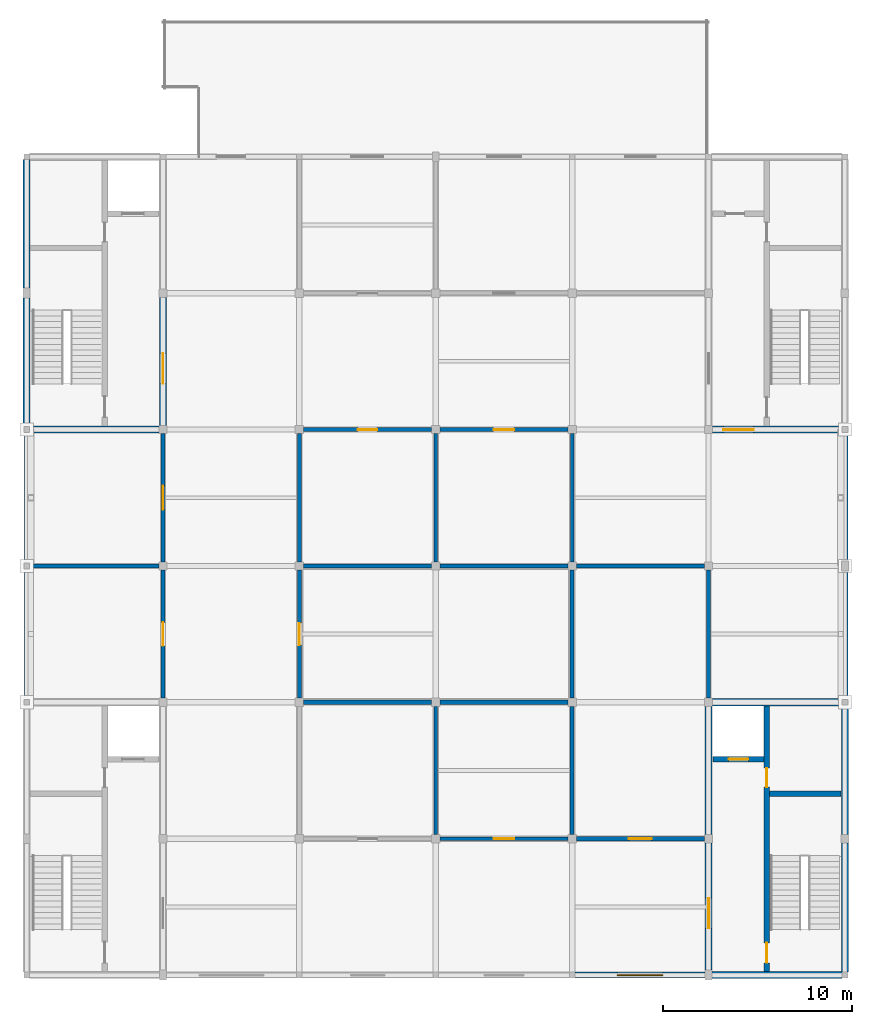
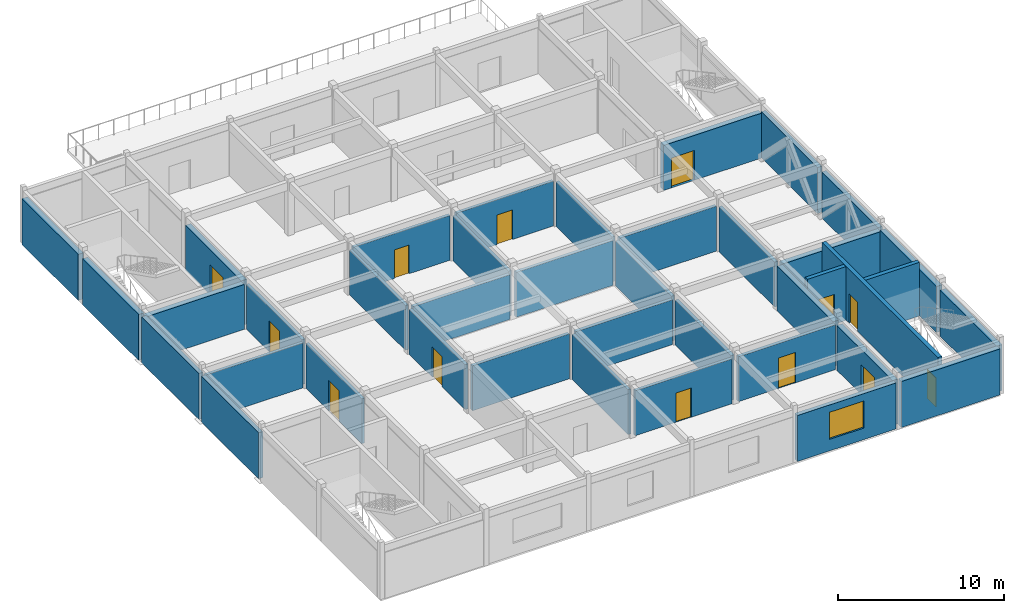
# One storey, part 3 of 6: 39 walls, 13 doors, 1 window, 14 openings.
"""IFC4 building model written with IfcOpenShell, lengths in metres."""

from ifc_helpers import new_model, si_unit, direction, frame, frame_2d, origin, place, context, subcontext, project, spatial, rectangle, extrude, material, layer, layer_set, type_object, element, fill, save


model = new_model("IFC4")

# Units and contexts
model_context = context("Model", 3, precision=1e-05, world=origin(), true_north=direction((0.0, 1.0)))
body_context = subcontext(model_context, "Body", "Model", "MODEL_VIEW")
ifc_project = project(units=[si_unit("LENGTHUNIT", "METRE"), si_unit("AREAUNIT", "SQUARE_METRE"), si_unit("VOLUMEUNIT", "CUBIC_METRE"), si_unit("PLANEANGLEUNIT", "RADIAN"), si_unit("MASSUNIT", "GRAM", prefix="KILO")], contexts=[model_context])

# Site, building, storey
site_placement = place(None, origin())
site = spatial("IfcSite", under=ifc_project, at=site_placement, CompositionType="ELEMENT")
building_placement = place(site_placement, origin())
building = spatial("IfcBuilding", under=site, at=building_placement, Name="Cendaluz Park School", CompositionType="ELEMENT")
storey_placement = place(building_placement, frame((0.0, 0.0, 63.0)))
storey = spatial("IfcBuildingStorey", under=building, at=storey_placement, Name="L15", CompositionType="ELEMENT", Elevation=63.0)

# Wall
ifc_material_1 = material(Name="Gypsum Plasterboard on Cold-Formed Stud", Category="gypsum")
ifc_layer_1 = layer(ifc_material_1, 0.199951171875)
ifc_layer_set_1 = layer_set([ifc_layer_1], Name="Gypsum Plasterboard on Cold-Formed Stud")
wall_type_1 = type_object("IfcWallType", Name="W-AC20", PredefinedType="PARTITIONING", material=ifc_layer_set_1)
wall_1_placement = place(storey_placement, frame((64.949951171875, 36.0, 0.0), z_axis=(0.0, 0.0, 1.0), x_axis=(1.0, 0.0, 0.0)))
element("IfcWall", 1, at=wall_1_placement, inside=storey, type_object=wall_type_1, Name="WL-FP-BJ8", PredefinedType="PARTITIONING", context=body_context, shape_type="SweptSolid", body=[
    extrude(rectangle(XDim=6.830078125, YDim=0.199951171875, at=frame_2d((3.4150390625, 0.0))), origin(), (0.0, 0.0, 1.0), 3.31005859375),
])

# Wall, opening, door
wall_2_placement = place(storey_placement, frame((72.0, 29.02001953125, 0.0), z_axis=(0.0, 0.0, 1.0), x_axis=(0.0, 1.0, 0.0)))
wall_2 = element("IfcWall", 2, at=wall_2_placement, inside=storey, type_object=wall_type_1, Name="WL-FP-BJ9", PredefinedType="PARTITIONING", context=body_context, shape_type="SweptSolid", body=[
    extrude(rectangle(XDim=6.760009765625, YDim=0.199951171875, at=frame_2d((3.3798828125, 0.0))), origin(), (0.0, 0.0, 1.0), 3.31005859375),
])
opening_1_placement = place(wall_2_placement, frame((2.760009765625, 0.0, 0.0)))
opening_1 = element("IfcOpeningElement", 3, at=opening_1_placement, cuts=wall_2, Name="Opening DCL-09", PredefinedType="OPENING", context=body_context, shape_type="SweptSolid", body=[
    extrude(rectangle(XDim=1.239990234375, YDim=2.260009765625, at=frame_2d((0.6201171875, 1.1298828125))), frame((0.0, 0.112060546875, 0.0), z_axis=(0.0, -1.0, 0.0), x_axis=(1.0, 0.0, 0.0)), (0.0, 0.0, 1.0), 0.223876953125),
])
ifc_material_2 = material(Name="Solid Core Hardwood", Category="wood")
door_type_1 = type_object("IfcDoorType", Name="DCL-09", OperationType="NOTDEFINED", PredefinedType="DOOR", material=ifc_material_2)
door_1_placement = place(opening_1_placement, origin())
door_1 = element("IfcDoor", 4, at=door_1_placement, inside=storey, type_object=door_type_1, Name="D-L15-024", OperationType="SINGLE_SWING_RIGHT", OverallHeight=2.260009765625, OverallWidth=1.239990234375, PredefinedType="DOOR", context=body_context, shape_type="SweptSolid", body=[
    extrude(rectangle(XDim=1.239990234375, YDim=2.260009765625, at=frame_2d((0.6201171875, 1.1298828125))), frame((0.0, 0.02490234375, 0.0), z_axis=(0.0, -1.0, 0.0), x_axis=(1.0, 0.0, 0.0)), (0.0, 0.0, 1.0), 0.050048828125),
])
fill(opening_1, door_1)

wall_3_placement = place(storey_placement, frame((72.0, 36.219970703125, 0.0), z_axis=(0.0, 0.0, 1.0), x_axis=(0.0, 1.0, 0.0)))
wall_3 = element("IfcWall", 5, at=wall_3_placement, inside=storey, type_object=wall_type_1, Name="WL-FP-BK0", PredefinedType="PARTITIONING", context=body_context, shape_type="SweptSolid", body=[
    extrude(rectangle(XDim=6.760009765625, YDim=0.199951171875, at=frame_2d((3.3798828125, 0.0))), origin(), (0.0, 0.0, 1.0), 3.31005859375),
])
opening_2_placement = place(wall_3_placement, frame((2.739990234375, 0.0, 0.0)))
opening_2 = element("IfcOpeningElement", 6, at=opening_2_placement, cuts=wall_3, Name="Opening DCL-10", PredefinedType="OPENING", context=body_context, shape_type="SweptSolid", body=[
    extrude(rectangle(XDim=1.280029296875, YDim=2.280029296875, at=frame_2d((0.64013671875, 1.14013671875))), frame((0.0, 0.112060546875, 0.0), z_axis=(0.0, -1.0, 0.0), x_axis=(1.0, 0.0, 0.0)), (0.0, 0.0, 1.0), 0.223876953125),
])
door_type_2 = type_object("IfcDoorType", Name="DCL-10", OperationType="NOTDEFINED", PredefinedType="DOOR", material=ifc_material_2)
door_2_placement = place(opening_2_placement, origin())
door_2 = element("IfcDoor", 7, at=door_2_placement, inside=storey, type_object=door_type_2, Name="D-L15-025", OperationType="SINGLE_SWING_LEFT", OverallHeight=2.280029296875, OverallWidth=1.280029296875, PredefinedType="DOOR", context=body_context, shape_type="SweptSolid", body=[
    extrude(rectangle(XDim=1.280029296875, YDim=2.280029296875, at=frame_2d((0.64013671875, 1.14013671875))), frame((0.0, 0.02490234375, 0.0), z_axis=(0.0, -1.0, 0.0), x_axis=(1.0, 0.0, 0.0)), (0.0, 0.0, 1.0), 0.050048828125),
])
fill(opening_2, door_2)

# Wall
wall_4_placement = place(storey_placement, frame((86.39990234375, 21.820068359375, 0.0), z_axis=(0.0, 0.0, 1.0), x_axis=(0.0, 1.0, 0.0)))
element("IfcWall", 8, at=wall_4_placement, inside=storey, type_object=wall_type_1, Name="WL-FP-BK3", PredefinedType="PARTITIONING", context=body_context, shape_type="SweptSolid", body=[
    extrude(rectangle(XDim=6.760009765625, YDim=0.199951171875, at=frame_2d((3.3798828125, 0.0))), origin(), (0.0, 0.0, 1.0), 3.31005859375),
])

# Wall, opening, door
wall_5_placement = place(storey_placement, frame((79.419921875, 43.199951171875, 0.0), z_axis=(0.0, 0.0, 1.0), x_axis=(1.0, 0.0, 0.0)))
wall_5 = element("IfcWall", 9, at=wall_5_placement, inside=storey, type_object=wall_type_1, Name="WL-FP-BK4", PredefinedType="PARTITIONING", context=body_context, shape_type="SweptSolid", body=[
    extrude(rectangle(XDim=6.760009765625, YDim=0.199951171875, at=frame_2d((3.3798828125, 0.0))), origin(), (0.0, 0.0, 1.0), 3.31005859375),
])
opening_3_placement = place(wall_5_placement, frame((2.8701171875, 0.0, 0.0)))
opening_3 = element("IfcOpeningElement", 10, at=opening_3_placement, cuts=wall_5, Name="Opening DCL-02", PredefinedType="OPENING", context=body_context, shape_type="SweptSolid", body=[
    extrude(rectangle(XDim=1.02001953125, YDim=2.1201171875, at=frame_2d((0.510009765625, 1.06005859375))), frame((0.0, 0.112060546875, 0.0), z_axis=(0.0, -1.0, 0.0), x_axis=(1.0, 0.0, 0.0)), (0.0, 0.0, 1.0), 0.223876953125),
])
door_type_3 = type_object("IfcDoorType", Name="DCL-02", OperationType="NOTDEFINED", PredefinedType="DOOR", material=ifc_material_2)
door_3_placement = place(opening_3_placement, frame((1.02001953125, 0.0, 0.0), z_axis=(0.0, 0.0, 1.0), x_axis=(-1.0, 0.0, 0.0)))
door_3 = element("IfcDoor", 11, at=door_3_placement, inside=storey, type_object=door_type_3, Name="D-L15-027", OperationType="SINGLE_SWING_LEFT", OverallHeight=2.1201171875, OverallWidth=1.02001953125, PredefinedType="DOOR", context=body_context, shape_type="SweptSolid", body=[
    extrude(rectangle(XDim=1.02001953125, YDim=2.1201171875, at=frame_2d((0.510009765625, 1.06005859375))), frame((0.0, 0.02490234375, 0.0), z_axis=(0.0, -1.0, 0.0), x_axis=(1.0, 0.0, 0.0)), (0.0, 0.0, 1.0), 0.050048828125),
])
fill(opening_3, door_3)

# Walls
for number, where, z_axis, x_axis, name in (
    (12, (79.199951171875, 36.219970703125, 0.0), (0.0, 0.0, 1.0), (0.0, 1.0, 0.0), "WL-FP-BK5"),
    (13, (86.39990234375, 36.219970703125, 0.0), (0.0, 0.0, 1.0), (0.0, 1.0, 0.0), "WL-FP-BK6"),
):
    element("IfcWall", number, at=place(storey_placement, frame(where, z_axis=z_axis, x_axis=x_axis)), inside=storey, type_object=wall_type_1, Name=name, PredefinedType="PARTITIONING", context=body_context, shape_type="SweptSolid", body=[
        extrude(rectangle(XDim=6.760009765625, YDim=0.199951171875, at=frame_2d((3.3798828125, 0.0))), origin(), (0.0, 0.0, 1.0), 3.31005859375),
    ])

# Wall, opening, door
wall_6_placement = place(storey_placement, frame((86.6201171875, 21.60009765625, 0.0), z_axis=(0.0, 0.0, 1.0), x_axis=(1.0, 0.0, 0.0)))
wall_6 = element("IfcWall", 14, at=wall_6_placement, inside=storey, type_object=wall_type_1, Name="WL-FP-BL0", PredefinedType="PARTITIONING", context=body_context, shape_type="SweptSolid", body=[
    extrude(rectangle(XDim=6.759765625, YDim=0.199951171875, at=frame_2d((3.3798828125, 0.0))), origin(), (0.0, 0.0, 1.0), 3.31005859375),
])
opening_4_placement = place(wall_6_placement, frame((2.85009765625, 0.0, 0.0)))
opening_4 = element("IfcOpeningElement", 15, at=opening_4_placement, cuts=wall_6, Name="Opening DCL-04", PredefinedType="OPENING", context=body_context, shape_type="SweptSolid", body=[
    extrude(rectangle(XDim=1.06005859375, YDim=2.159912109375, at=frame_2d((0.530029296875, 1.080078125))), frame((0.0, 0.112060546875, 0.0), z_axis=(0.0, -1.0, 0.0), x_axis=(1.0, 0.0, 0.0)), (0.0, 0.0, 1.0), 0.223876953125),
])
door_type_4 = type_object("IfcDoorType", Name="DCL-04", OperationType="NOTDEFINED", PredefinedType="DOOR", material=ifc_material_2)
door_4_placement = place(opening_4_placement, origin())
door_4 = element("IfcDoor", 16, at=door_4_placement, inside=storey, type_object=door_type_4, Name="D-L15-029", OperationType="SINGLE_SWING_LEFT", OverallHeight=2.159912109375, OverallWidth=1.06005859375, PredefinedType="DOOR", context=body_context, shape_type="SweptSolid", body=[
    extrude(rectangle(XDim=1.06005859375, YDim=2.159912109375, at=frame_2d((0.530029296875, 1.080078125))), frame((0.0, 0.02490234375, 0.0), z_axis=(0.0, -1.0, 0.0), x_axis=(1.0, 0.0, 0.0)), (0.0, 0.0, 1.0), 0.050048828125),
])
fill(opening_4, door_4)

wall_7_placement = place(storey_placement, frame((86.6201171875, 43.199951171875, 0.0), z_axis=(0.0, 0.0, 1.0), x_axis=(1.0, 0.0, 0.0)))
wall_7 = element("IfcWall", 17, at=wall_7_placement, inside=storey, type_object=wall_type_1, Name="WL-FP-BL1", PredefinedType="PARTITIONING", context=body_context, shape_type="SweptSolid", body=[
    extrude(rectangle(XDim=6.759765625, YDim=0.199951171875, at=frame_2d((3.3798828125, 0.0))), origin(), (0.0, 0.0, 1.0), 3.31005859375),
])
opening_5_placement = place(wall_7_placement, frame((2.840087890625, 0.0, 0.0)))
opening_5 = element("IfcOpeningElement", 18, at=opening_5_placement, cuts=wall_7, Name="Opening DCL-05", PredefinedType="OPENING", context=body_context, shape_type="SweptSolid", body=[
    extrude(rectangle(XDim=1.080078125, YDim=2.179931640625, at=frame_2d((0.5400390625, 1.08984375))), frame((0.0, 0.112060546875, 0.0), z_axis=(0.0, -1.0, 0.0), x_axis=(1.0, 0.0, 0.0)), (0.0, 0.0, 1.0), 0.223876953125),
])
door_type_5 = type_object("IfcDoorType", Name="DCL-05", OperationType="NOTDEFINED", PredefinedType="DOOR", material=ifc_material_2)
door_5_placement = place(opening_5_placement, frame((1.080078125, 0.0, 0.0), z_axis=(0.0, 0.0, 1.0), x_axis=(-1.0, 0.0, 0.0)))
door_5 = element("IfcDoor", 19, at=door_5_placement, inside=storey, type_object=door_type_5, Name="D-L15-030", OperationType="SINGLE_SWING_RIGHT", OverallHeight=2.179931640625, OverallWidth=1.080078125, PredefinedType="DOOR", context=body_context, shape_type="SweptSolid", body=[
    extrude(rectangle(XDim=1.080078125, YDim=2.179931640625, at=frame_2d((0.5400390625, 1.08984375))), frame((0.0, 0.02490234375, 0.0), z_axis=(0.0, -1.0, 0.0), x_axis=(1.0, 0.0, 0.0)), (0.0, 0.0, 1.0), 0.050048828125),
])
fill(opening_5, door_5)

# Walls
wall_8_placement = place(storey_placement, frame((93.60009765625, 36.219970703125, 0.0), z_axis=(0.0, 0.0, 1.0), x_axis=(0.0, 1.0, 0.0)))
element("IfcWall", 20, at=wall_8_placement, inside=storey, type_object=wall_type_1, Name="WL-FP-BL2", PredefinedType="PARTITIONING", context=body_context, shape_type="SweptSolid", body=[
    extrude(rectangle(XDim=6.760009765625, YDim=0.199951171875, at=frame_2d((3.3798828125, 0.0))), origin(), (0.0, 0.0, 1.0), 3.31005859375),
])
ifc_material_3 = material(Name="Cross-laminated timber CLT C24", Category="wood")
ifc_layer_2 = layer(ifc_material_3, 0.300048828125)
ifc_layer_set_2 = layer_set([ifc_layer_2], Name="Cross-laminated timber CLT C24")
wall_type_2 = type_object("IfcWallType", Name="W-EX30", PredefinedType="SOLIDWALL", material=ifc_layer_set_2)
for number, where, z_axis, x_axis, name in (
    (21, (64.800048828125, 28.949951171875, 0.0), (0.0, 0.0, 1.0), (0.0, 1.0, 0.0), "WL-FP-AA0"),
    (22, (64.800048828125, 36.14990234375, 0.0), (0.0, 0.0, 1.0), (0.0, 1.0, 0.0), "WL-FP-AA1"),
):
    element("IfcWall", number, at=place(storey_placement, frame(where, z_axis=z_axis, x_axis=x_axis)), inside=storey, type_object=wall_type_2, Name=name, PredefinedType="SOLIDWALL", context=body_context, shape_type="SweptSolid", body=[
        extrude(rectangle(XDim=6.900146484375, YDim=0.300048828125, at=frame_2d((3.4501953125, 0.0))), origin(), (0.0, 0.0, 1.0), 3.389892578125),
    ])

# Wall, opening, window
wall_9_placement = place(storey_placement, frame((93.75, 14.39990234375, 0.0), z_axis=(0.0, 0.0, 1.0), x_axis=(1.0, 0.0, 0.0)))
wall_9 = element("IfcWall", 23, at=wall_9_placement, inside=storey, type_object=wall_type_2, Name="WL-FP-AA8", PredefinedType="SOLIDWALL", context=body_context, shape_type="SweptSolid", body=[
    extrude(rectangle(XDim=6.8701171875, YDim=0.300048828125, at=frame_2d((3.43505859375, 0.0))), origin(), (0.0, 0.0, 1.0), 3.389892578125),
])
opening_6_placement = place(wall_9_placement, frame((2.235107421875, 0.0, 0.85009765625)))
opening_6 = element("IfcOpeningElement", 24, at=opening_6_placement, cuts=wall_9, Name="Opening WN-12", PredefinedType="OPENING", context=body_context, shape_type="SweptSolid", body=[
    extrude(rectangle(XDim=2.39990234375, YDim=2.0, at=frame_2d((1.199951171875, 1.0))), frame((0.0, 0.162109375, 0.0), z_axis=(0.0, -1.0, 0.0), x_axis=(1.0, 0.0, 0.0)), (0.0, 0.0, 1.0), 0.323974609375),
])
ifc_material_4 = material(Name="Tempered Low-E Double Glazing", Category="glass")
window_type = type_object("IfcWindowType", Name="WN-12", PartitioningType="SINGLE_PANEL", PredefinedType="WINDOW", material=ifc_material_4)
window_placement = place(opening_6_placement, origin())
window = element("IfcWindow", 25, at=window_placement, inside=storey, type_object=window_type, Name="WN-L15-004", OverallHeight=2.0, OverallWidth=2.39990234375, PartitioningType="SINGLE_PANEL", PredefinedType="WINDOW", context=body_context, shape_type="SweptSolid", body=[
    extrude(rectangle(XDim=2.39990234375, YDim=2.0, at=frame_2d((1.199951171875, 1.0))), frame((0.0, 0.030029296875, 0.0), z_axis=(0.0, -1.0, 0.0), x_axis=(1.0, 0.0, 0.0)), (0.0, 0.0, 1.0), 0.06005859375),
])
fill(opening_6, window)

# Walls
for number, where, z_axis, x_axis, name in (
    (26, (108.0, 28.949951171875, 0.0), (0.0, 0.0, 1.0), (0.0, 1.0, 0.0), "WL-FP-AB0"),
    (27, (108.0, 36.260009765625, 0.0), (0.0, 0.0, 1.0), (0.0, 1.0, 0.0), "WL-FP-AB1"),
):
    element("IfcWall", number, at=place(storey_placement, frame(where, z_axis=z_axis, x_axis=x_axis)), inside=storey, type_object=wall_type_2, Name=name, PredefinedType="SOLIDWALL", context=body_context, shape_type="SweptSolid", body=[
        extrude(rectangle(XDim=6.7900390625, YDim=0.300048828125, at=frame_2d((3.39501953125, 0.0))), origin(), (0.0, 0.0, 1.0), 3.389892578125),
    ])

# Wall, openings, doors
ifc_material_5 = material(Name="Concrete C40/50", Category="concrete")
ifc_layer_3 = layer(ifc_material_5, 0.280029296875)
ifc_layer_set_3 = layer_set([ifc_layer_3], Name="Concrete C40/50")
wall_type_3 = type_object("IfcWallType", Name="W-FW28", PredefinedType="SHEAR", material=ifc_layer_set_3)
wall_10_placement = place(storey_placement, frame((103.8798828125, 14.60009765625, 0.0), z_axis=(0.0, 0.0, 1.0), x_axis=(0.0, 1.0, 0.0)))
wall_10 = element("IfcWall", 28, at=wall_10_placement, inside=storey, type_object=wall_type_3, Name="WL-FP-BG7", PredefinedType="SHEAR", context=body_context, shape_type="SweptSolid", body=[
    extrude(rectangle(XDim=14.0, YDim=0.280029296875, at=frame_2d((7.0, 0.0))), origin(), (0.0, 0.0, 1.0), 3.9599609375),
])
opening_7_placement = place(wall_10_placement, frame((0.449951171875, 0.0, 0.0)))
opening_7 = element("IfcOpeningElement", 29, at=opening_7_placement, cuts=wall_10, Name="Opening DST-02", PredefinedType="OPENING", context=body_context, shape_type="SweptSolid", body=[
    extrude(rectangle(XDim=1.050048828125, YDim=2.14990234375, at=frame_2d((0.52490234375, 1.074951171875))), frame((0.0, 0.152099609375, 0.0), z_axis=(0.0, -1.0, 0.0), x_axis=(1.0, 0.0, 0.0)), (0.0, 0.0, 1.0), 0.303955078125),
])
opening_8_placement = place(wall_10_placement, frame((9.719970703125, 0.0, 0.0)))
opening_8 = element("IfcOpeningElement", 30, at=opening_8_placement, cuts=wall_10, Name="Opening DFC-01", PredefinedType="OPENING", context=body_context, shape_type="SweptSolid", body=[
    extrude(rectangle(XDim=1.0, YDim=2.14990234375, at=frame_2d((0.5, 1.074951171875))), frame((0.0, 0.152099609375, 0.0), z_axis=(0.0, -1.0, 0.0), x_axis=(1.0, 0.0, 0.0)), (0.0, 0.0, 1.0), 0.303955078125),
])
door_type_6 = type_object("IfcDoorType", Name="DFC-01", OperationType="NOTDEFINED", PredefinedType="DOOR", material=ifc_material_2)
door_6_placement = place(opening_8_placement, frame((1.0, 0.0, 0.0), z_axis=(0.0, 0.0, 1.0), x_axis=(-1.0, 0.0, 0.0)))
door_6 = element("IfcDoor", 31, at=door_6_placement, inside=storey, type_object=door_type_6, Name="D-L15-011", OperationType="SINGLE_SWING_LEFT", OverallHeight=2.14990234375, OverallWidth=1.0, PredefinedType="DOOR", context=body_context, shape_type="SweptSolid", body=[
    extrude(rectangle(XDim=1.0, YDim=2.14990234375, at=frame_2d((0.5, 1.074951171875))), frame((0.0, 0.02490234375, 0.0), z_axis=(0.0, -1.0, 0.0), x_axis=(1.0, 0.0, 0.0)), (0.0, 0.0, 1.0), 0.050048828125),
])
fill(opening_8, door_6)
door_type_7 = type_object("IfcDoorType", Name="DST-02", OperationType="NOTDEFINED", PredefinedType="DOOR", material=ifc_material_2)
door_7_placement = place(opening_7_placement, frame((1.050048828125, 0.0, 0.0), z_axis=(0.0, 0.0, 1.0), x_axis=(-1.0, 0.0, 0.0)))
door_7 = element("IfcDoor", 32, at=door_7_placement, inside=storey, type_object=door_type_7, Name="D-L15-010", OperationType="SINGLE_SWING_RIGHT", OverallHeight=2.14990234375, OverallWidth=1.050048828125, PredefinedType="DOOR", context=body_context, shape_type="SweptSolid", body=[
    extrude(rectangle(XDim=1.050048828125, YDim=2.14990234375, at=frame_2d((0.52490234375, 1.074951171875))), frame((0.0, 0.02490234375, 0.0), z_axis=(0.0, -1.0, 0.0), x_axis=(1.0, 0.0, 0.0)), (0.0, 0.0, 1.0), 0.050048828125),
])
fill(opening_7, door_7)

# Wall
wall_11_placement = place(storey_placement, frame((104.02001953125, 23.97998046875, 0.0), z_axis=(0.0, 0.0, 1.0), x_axis=(1.0, 0.0, 0.0)))
element("IfcWall", 33, at=wall_11_placement, inside=storey, type_object=wall_type_3, Name="WL-FP-BG8", PredefinedType="SHEAR", context=body_context, shape_type="SweptSolid", body=[
    extrude(rectangle(XDim=3.780029296875, YDim=0.280029296875, at=frame_2d((1.89013671875, 0.0))), origin(), (0.0, 0.0, 1.0), 3.9599609375),
])

# Wall, opening, door
wall_12_placement = place(storey_placement, frame((101.0400390625, 25.800048828125, 0.0), z_axis=(0.0, 0.0, 1.0), x_axis=(1.0, 0.0, 0.0)))
wall_12 = element("IfcWall", 34, at=wall_12_placement, inside=storey, type_object=wall_type_3, Name="WL-FP-BG9", PredefinedType="SHEAR", context=body_context, shape_type="SweptSolid", body=[
    extrude(rectangle(XDim=2.679931640625, YDim=0.280029296875, at=frame_2d((1.33984375, 0.0))), origin(), (0.0, 0.0, 1.0), 3.9599609375),
])
opening_9_placement = place(wall_12_placement, frame((0.81494140625, 0.0, 0.0)))
opening_9 = element("IfcOpeningElement", 35, at=opening_9_placement, cuts=wall_12, Name="Opening LD-02", PredefinedType="OPENING", context=body_context, shape_type="SweptSolid", body=[
    extrude(rectangle(XDim=1.050048828125, YDim=2.199951171875, at=frame_2d((0.52490234375, 1.10009765625))), frame((0.0, 0.152099609375, 0.0), z_axis=(0.0, -1.0, 0.0), x_axis=(1.0, 0.0, 0.0)), (0.0, 0.0, 1.0), 0.303955078125),
])
ifc_material_6 = material(Name="Stainless Steel 316L", Category="steel")
door_type_8 = type_object("IfcDoorType", Name="LD-02", OperationType="DOUBLE_DOOR_SLIDING", PredefinedType="DOOR", material=ifc_material_6)
door_8_placement = place(opening_9_placement, frame((1.050048828125, 0.0, 0.0), z_axis=(0.0, 0.0, 1.0), x_axis=(-1.0, 0.0, 0.0)))
door_8 = element("IfcDoor", 36, at=door_8_placement, inside=storey, type_object=door_type_8, Name="D-L15-012", OperationType="DOUBLE_DOOR_SLIDING", OverallHeight=2.199951171875, OverallWidth=1.050048828125, PredefinedType="DOOR", context=body_context, shape_type="SweptSolid", body=[
    extrude(rectangle(XDim=1.050048828125, YDim=2.199951171875, at=frame_2d((0.52490234375, 1.10009765625))), frame((0.0, 0.02490234375, 0.0), z_axis=(0.0, -1.0, 0.0), x_axis=(1.0, 0.0, 0.0)), (0.0, 0.0, 1.0), 0.050048828125),
])
fill(opening_9, door_8)

# Walls
ifc_layer_4 = layer(ifc_material_1, 0.219970703125)
ifc_layer_set_4 = layer_set([ifc_layer_4], Name="Gypsum Plasterboard on Cold-Formed Stud")
wall_type_4 = type_object("IfcWallType", Name="W-LB22", PredefinedType="PARTITIONING", material=ifc_layer_set_4)
for number, where, z_axis, x_axis, name in (
    (37, (79.419921875, 28.800048828125, 0.0), (0.0, 0.0, 1.0), (1.0, 0.0, 0.0), "WL-FP-BI8"),
    (38, (79.419921875, 36.0, 0.0), (0.0, 0.0, 1.0), (1.0, 0.0, 0.0), "WL-FP-BI9"),
):
    element("IfcWall", number, at=place(storey_placement, frame(where, z_axis=z_axis, x_axis=x_axis)), inside=storey, type_object=wall_type_4, Name=name, PredefinedType="PARTITIONING", context=body_context, shape_type="SweptSolid", body=[
        extrude(rectangle(XDim=6.760009765625, YDim=0.219970703125, at=frame_2d((3.3798828125, 0.0))), origin(), (0.0, 0.0, 1.0), 3.31005859375),
    ])

# Wall, opening, door
wall_13_placement = place(storey_placement, frame((79.199951171875, 29.02001953125, 0.0), z_axis=(0.0, 0.0, 1.0), x_axis=(0.0, 1.0, 0.0)))
wall_13 = element("IfcWall", 39, at=wall_13_placement, inside=storey, type_object=wall_type_4, Name="WL-FP-BJ0", PredefinedType="PARTITIONING", context=body_context, shape_type="SweptSolid", body=[
    extrude(rectangle(XDim=6.760009765625, YDim=0.219970703125, at=frame_2d((3.3798828125, 0.0))), origin(), (0.0, 0.0, 1.0), 3.31005859375),
])
opening_10_placement = place(wall_13_placement, frame((2.800048828125, 0.0, 0.0)))
opening_10 = element("IfcOpeningElement", 40, at=opening_10_placement, cuts=wall_13, Name="Opening DCL-07", PredefinedType="OPENING", context=body_context, shape_type="SweptSolid", body=[
    extrude(rectangle(XDim=1.159912109375, YDim=2.219970703125, at=frame_2d((0.580078125, 1.10986328125))), frame((0.0, 0.1220703125, 0.0), z_axis=(0.0, -1.0, 0.0), x_axis=(1.0, 0.0, 0.0)), (0.0, 0.0, 1.0), 0.243896484375),
])
door_type_9 = type_object("IfcDoorType", Name="DCL-07", OperationType="NOTDEFINED", PredefinedType="DOOR", material=ifc_material_2)
door_9_placement = place(opening_10_placement, origin())
door_9 = element("IfcDoor", 41, at=door_9_placement, inside=storey, type_object=door_type_9, Name="D-L15-022", OperationType="SINGLE_SWING_RIGHT", OverallHeight=2.219970703125, OverallWidth=1.159912109375, PredefinedType="DOOR", context=body_context, shape_type="SweptSolid", body=[
    extrude(rectangle(XDim=1.159912109375, YDim=2.219970703125, at=frame_2d((0.580078125, 1.10986328125))), frame((0.0, 0.02490234375, 0.0), z_axis=(0.0, -1.0, 0.0), x_axis=(1.0, 0.0, 0.0)), (0.0, 0.0, 1.0), 0.050048828125),
])
fill(opening_10, door_9)

# Walls
for number, where, z_axis, x_axis, name in (
    (42, (86.6201171875, 28.800048828125, 0.0), (0.0, 0.0, 1.0), (1.0, 0.0, 0.0), "WL-FP-BJ1"),
    (43, (86.6201171875, 36.0, 0.0), (0.0, 0.0, 1.0), (1.0, 0.0, 0.0), "WL-FP-BJ2"),
):
    element("IfcWall", number, at=place(storey_placement, frame(where, z_axis=z_axis, x_axis=x_axis)), inside=storey, type_object=wall_type_4, Name=name, PredefinedType="PARTITIONING", context=body_context, shape_type="SweptSolid", body=[
        extrude(rectangle(XDim=6.759765625, YDim=0.219970703125, at=frame_2d((3.3798828125, 0.0))), origin(), (0.0, 0.0, 1.0), 3.31005859375),
    ])
wall_14_placement = place(storey_placement, frame((93.60009765625, 29.02001953125, 0.0), z_axis=(0.0, 0.0, 1.0), x_axis=(0.0, 1.0, 0.0)))
element("IfcWall", 44, at=wall_14_placement, inside=storey, type_object=wall_type_4, Name="WL-FP-BJ3", PredefinedType="PARTITIONING", context=body_context, shape_type="SweptSolid", body=[
    extrude(rectangle(XDim=6.760009765625, YDim=0.219970703125, at=frame_2d((3.3798828125, 0.0))), origin(), (0.0, 0.0, 1.0), 3.31005859375),
])

# Wall, opening, door
wall_15_placement = place(storey_placement, frame((93.820068359375, 21.60009765625, 0.0), z_axis=(0.0, 0.0, 1.0), x_axis=(1.0, 0.0, 0.0)))
wall_15 = element("IfcWall", 45, at=wall_15_placement, inside=storey, type_object=wall_type_4, Name="WL-FP-BJ4", PredefinedType="PARTITIONING", context=body_context, shape_type="SweptSolid", body=[
    extrude(rectangle(XDim=6.760009765625, YDim=0.219970703125, at=frame_2d((3.3798828125, 0.0))), origin(), (0.0, 0.0, 1.0), 3.31005859375),
])
opening_11_placement = place(wall_15_placement, frame((2.780029296875, 0.0, 0.0)))
opening_11 = element("IfcOpeningElement", 46, at=opening_11_placement, cuts=wall_15, Name="Opening DCL-08", PredefinedType="OPENING", context=body_context, shape_type="SweptSolid", body=[
    extrude(rectangle(XDim=1.199951171875, YDim=2.239990234375, at=frame_2d((0.60009765625, 1.1201171875))), frame((0.0, 0.1220703125, 0.0), z_axis=(0.0, -1.0, 0.0), x_axis=(1.0, 0.0, 0.0)), (0.0, 0.0, 1.0), 0.243896484375),
])
door_type_10 = type_object("IfcDoorType", Name="DCL-08", OperationType="NOTDEFINED", PredefinedType="DOOR", material=ifc_material_2)
door_10_placement = place(opening_11_placement, frame((1.199951171875, 0.0, 0.0), z_axis=(0.0, 0.0, 1.0), x_axis=(-1.0, 0.0, 0.0)))
door_10 = element("IfcDoor", 47, at=door_10_placement, inside=storey, type_object=door_type_10, Name="D-L15-023", OperationType="SINGLE_SWING_LEFT", OverallHeight=2.239990234375, OverallWidth=1.199951171875, PredefinedType="DOOR", context=body_context, shape_type="SweptSolid", body=[
    extrude(rectangle(XDim=1.199951171875, YDim=2.239990234375, at=frame_2d((0.60009765625, 1.1201171875))), frame((0.0, 0.02490234375, 0.0), z_axis=(0.0, -1.0, 0.0), x_axis=(1.0, 0.0, 0.0)), (0.0, 0.0, 1.0), 0.050048828125),
])
fill(opening_11, door_10)

# Walls
for number, where, z_axis, x_axis, name in (
    (48, (93.60009765625, 21.820068359375, 0.0), (0.0, 0.0, 1.0), (0.0, 1.0, 0.0), "WL-FP-BJ5"),
    (49, (93.820068359375, 36.0, 0.0), (0.0, 0.0, 1.0), (1.0, 0.0, 0.0), "WL-FP-BJ6"),
    (50, (100.800048828125, 29.02001953125, 0.0), (0.0, 0.0, 1.0), (0.0, 1.0, 0.0), "WL-FP-BJ7"),
):
    element("IfcWall", number, at=place(storey_placement, frame(where, z_axis=z_axis, x_axis=x_axis)), inside=storey, type_object=wall_type_4, Name=name, PredefinedType="PARTITIONING", context=body_context, shape_type="SweptSolid", body=[
        extrude(rectangle(XDim=6.760009765625, YDim=0.219970703125, at=frame_2d((3.3798828125, 0.0))), origin(), (0.0, 0.0, 1.0), 3.31005859375),
    ])

# Wall, opening, door
ifc_layer_5 = layer(ifc_material_5, 0.3798828125)
ifc_layer_set_5 = layer_set([ifc_layer_5], Name="Concrete C40/50")
wall_type_5 = type_object("IfcWallType", Name="W-SH38", PredefinedType="SHEAR", material=ifc_layer_set_5)
wall_16_placement = place(storey_placement, frame((100.800048828125, 14.659912109375, 0.0), z_axis=(0.0, 0.0, 1.0), x_axis=(0.0, 1.0, 0.0)))
wall_16 = element("IfcWall", 51, at=wall_16_placement, inside=storey, type_object=wall_type_5, Name="WL-FP-BG1", PredefinedType="SHEAR", context=body_context, shape_type="SweptSolid", body=[
    extrude(rectangle(XDim=6.719970703125, YDim=0.3798828125, at=frame_2d((3.35986328125, 0.0))), origin(), (0.0, 0.0, 1.0), 3.31005859375),
])
opening_12_placement = place(wall_16_placement, frame((2.199951171875, 0.0, 0.0)))
opening_12 = element("IfcOpeningElement", 52, at=opening_12_placement, cuts=wall_16, Name="Opening DLB-01", PredefinedType="OPENING", context=body_context, shape_type="SweptSolid", body=[
    extrude(rectangle(XDim=1.60009765625, YDim=2.199951171875, at=frame_2d((0.800048828125, 1.10009765625))), frame((0.0, 0.201904296875, 0.0), z_axis=(0.0, -1.0, 0.0), x_axis=(1.0, 0.0, 0.0)), (0.0, 0.0, 1.0), 0.40380859375),
])
door_type_11 = type_object("IfcDoorType", Name="DLB-01", OperationType="DOUBLE_DOOR_SINGLE_SWING", PredefinedType="DOOR", material=ifc_material_2)
door_11_placement = place(opening_12_placement, frame((1.60009765625, 0.0, 0.0), z_axis=(0.0, 0.0, 1.0), x_axis=(-1.0, 0.0, 0.0)))
door_11 = element("IfcDoor", 53, at=door_11_placement, inside=storey, type_object=door_type_11, Name="D-L15-009", OperationType="DOUBLE_DOOR_SINGLE_SWING", OverallHeight=2.199951171875, OverallWidth=1.60009765625, PredefinedType="DOOR", context=body_context, shape_type="SweptSolid", body=[
    extrude(rectangle(XDim=1.60009765625, YDim=2.199951171875, at=frame_2d((0.800048828125, 1.10009765625))), frame((0.0, 0.02490234375, 0.0), z_axis=(0.0, -1.0, 0.0), x_axis=(1.0, 0.0, 0.0)), (0.0, 0.0, 1.0), 0.050048828125),
])
fill(opening_12, door_11)

# Walls
wall_17_placement = place(storey_placement, frame((100.800048828125, 21.820068359375, 0.0), z_axis=(0.0, 0.0, 1.0), x_axis=(0.0, 1.0, 0.0)))
element("IfcWall", 54, at=wall_17_placement, inside=storey, type_object=wall_type_5, Name="WL-FP-BG2", PredefinedType="SHEAR", context=body_context, shape_type="SweptSolid", body=[
    extrude(rectangle(XDim=6.760009765625, YDim=0.3798828125, at=frame_2d((3.3798828125, 0.0))), origin(), (0.0, 0.0, 1.0), 3.31005859375),
])
for number, where, z_axis, x_axis, name in (
    (55, (108.0, 14.550048828125, 0.0), (0.0, 0.0, 1.0), (0.0, 1.0, 0.0), "WL-FP-BG3"),
    (56, (108.0, 21.820068359375, 0.0), (0.0, 0.0, 1.0), (0.0, 1.0, 0.0), "WL-FP-BG4"),
):
    element("IfcWall", number, at=place(storey_placement, frame(where, z_axis=z_axis, x_axis=x_axis)), inside=storey, type_object=wall_type_5, Name=name, PredefinedType="SHEAR", context=body_context, shape_type="SweptSolid", body=[
        extrude(rectangle(XDim=6.829833984375, YDim=0.3798828125, at=frame_2d((3.4150390625, 0.0))), origin(), (0.0, 0.0, 1.0), 3.389892578125),
    ])
wall_18_placement = place(storey_placement, frame((100.97998046875, 14.39990234375, 0.0), z_axis=(0.0, 0.0, 1.0), x_axis=(1.0, 0.0, 0.0)))
element("IfcWall", 57, at=wall_18_placement, inside=storey, type_object=wall_type_5, Name="WL-FP-BG5", PredefinedType="SHEAR", context=body_context, shape_type="SweptSolid", body=[
    extrude(rectangle(XDim=6.8701171875, YDim=0.3798828125, at=frame_2d((3.43505859375, 0.0))), origin(), (0.0, 0.0, 1.0), 3.389892578125),
])
wall_19_placement = place(storey_placement, frame((101.02001953125, 28.800048828125, 0.0), z_axis=(0.0, 0.0, 1.0), x_axis=(1.0, 0.0, 0.0)))
element("IfcWall", 58, at=wall_19_placement, inside=storey, type_object=wall_type_5, Name="WL-FP-BG6", PredefinedType="SHEAR", context=body_context, shape_type="SweptSolid", body=[
    extrude(rectangle(XDim=6.830078125, YDim=0.3798828125, at=frame_2d((3.4150390625, 0.0))), origin(), (0.0, 0.0, 1.0), 3.31005859375),
])
wall_20_placement = place(storey_placement, frame((64.800048828125, 43.35009765625, 0.0), z_axis=(0.0, 0.0, 1.0), x_axis=(0.0, 1.0, 0.0)))
element("IfcWall", 59, at=wall_20_placement, inside=storey, type_object=wall_type_5, Name="WL-FP-BH0", PredefinedType="SHEAR", context=body_context, shape_type="SweptSolid", body=[
    extrude(rectangle(XDim=6.789794921875, YDim=0.3798828125, at=frame_2d((3.39501953125, 0.0))), origin(), (0.0, 0.0, 1.0), 3.389892578125),
])
wall_21_placement = place(storey_placement, frame((64.800048828125, 50.659912109375, 0.0), z_axis=(0.0, 0.0, 1.0), x_axis=(0.0, 1.0, 0.0)))
element("IfcWall", 60, at=wall_21_placement, inside=storey, type_object=wall_type_5, Name="WL-FP-BH1", PredefinedType="SHEAR", context=body_context, shape_type="SweptSolid", body=[
    extrude(rectangle(XDim=6.7900390625, YDim=0.3798828125, at=frame_2d((3.39501953125, 0.0))), origin(), (0.0, 0.0, 1.0), 3.389892578125),
])

# Wall, opening, door
wall_22_placement = place(storey_placement, frame((72.0, 43.419921875, 0.0), z_axis=(0.0, 0.0, 1.0), x_axis=(0.0, 1.0, 0.0)))
wall_22 = element("IfcWall", 61, at=wall_22_placement, inside=storey, type_object=wall_type_5, Name="WL-FP-BH2", PredefinedType="SHEAR", context=body_context, shape_type="SweptSolid", body=[
    extrude(rectangle(XDim=6.760009765625, YDim=0.3798828125, at=frame_2d((3.3798828125, 0.0))), origin(), (0.0, 0.0, 1.0), 3.31005859375),
])
opening_13_placement = place(wall_22_placement, frame((2.199951171875, 0.0, 0.0)))
opening_13 = element("IfcOpeningElement", 62, at=opening_13_placement, cuts=wall_22, Name="Opening DLB-01", PredefinedType="OPENING", context=body_context, shape_type="SweptSolid", body=[
    extrude(rectangle(XDim=1.60009765625, YDim=2.199951171875, at=frame_2d((0.800048828125, 1.10009765625))), frame((0.0, 0.201904296875, 0.0), z_axis=(0.0, -1.0, 0.0), x_axis=(1.0, 0.0, 0.0)), (0.0, 0.0, 1.0), 0.40380859375),
])
door_12_placement = place(opening_13_placement, origin())
door_12 = element("IfcDoor", 63, at=door_12_placement, inside=storey, type_object=door_type_11, Name="D-L15-013", OperationType="DOUBLE_DOOR_SINGLE_SWING", OverallHeight=2.199951171875, OverallWidth=1.60009765625, PredefinedType="DOOR", context=body_context, shape_type="SweptSolid", body=[
    extrude(rectangle(XDim=1.60009765625, YDim=2.199951171875, at=frame_2d((0.800048828125, 1.10009765625))), frame((0.0, 0.02490234375, 0.0), z_axis=(0.0, -1.0, 0.0), x_axis=(1.0, 0.0, 0.0)), (0.0, 0.0, 1.0), 0.050048828125),
])
fill(opening_13, door_12)

# Wall
wall_23_placement = place(storey_placement, frame((64.949951171875, 43.199951171875, 0.0), z_axis=(0.0, 0.0, 1.0), x_axis=(1.0, 0.0, 0.0)))
element("IfcWall", 64, at=wall_23_placement, inside=storey, type_object=wall_type_5, Name="WL-FP-BH4", PredefinedType="SHEAR", context=body_context, shape_type="SweptSolid", body=[
    extrude(rectangle(XDim=6.830078125, YDim=0.3798828125, at=frame_2d((3.4150390625, 0.0))), origin(), (0.0, 0.0, 1.0), 3.31005859375),
])

# Wall, opening, door
wall_24_placement = place(storey_placement, frame((101.02001953125, 43.199951171875, 0.0), z_axis=(0.0, 0.0, 1.0), x_axis=(1.0, 0.0, 0.0)))
wall_24 = element("IfcWall", 65, at=wall_24_placement, inside=storey, type_object=wall_type_5, Name="WL-FP-BI3", PredefinedType="SHEAR", context=body_context, shape_type="SweptSolid", body=[
    extrude(rectangle(XDim=6.830078125, YDim=0.3798828125, at=frame_2d((3.4150390625, 0.0))), origin(), (0.0, 0.0, 1.0), 3.31005859375),
])
opening_14_placement = place(wall_24_placement, frame((0.56005859375, 0.0, 0.0)))
opening_14 = element("IfcOpeningElement", 66, at=opening_14_placement, cuts=wall_24, Name="Opening DLB-01", PredefinedType="OPENING", context=body_context, shape_type="SweptSolid", body=[
    extrude(rectangle(XDim=1.60009765625, YDim=2.199951171875, at=frame_2d((0.800048828125, 1.10009765625))), frame((0.0, 0.201904296875, 0.0), z_axis=(0.0, -1.0, 0.0), x_axis=(1.0, 0.0, 0.0)), (0.0, 0.0, 1.0), 0.40380859375),
])
door_13_placement = place(opening_14_placement, origin())
door_13 = element("IfcDoor", 67, at=door_13_placement, inside=storey, type_object=door_type_11, Name="D-L15-018", OperationType="DOUBLE_DOOR_SINGLE_SWING", OverallHeight=2.199951171875, OverallWidth=1.60009765625, PredefinedType="DOOR", context=body_context, shape_type="SweptSolid", body=[
    extrude(rectangle(XDim=1.60009765625, YDim=2.199951171875, at=frame_2d((0.800048828125, 1.10009765625))), frame((0.0, 0.02490234375, 0.0), z_axis=(0.0, -1.0, 0.0), x_axis=(1.0, 0.0, 0.0)), (0.0, 0.0, 1.0), 0.050048828125),
])
fill(opening_14, door_13)

save(model, "model.ifc")
